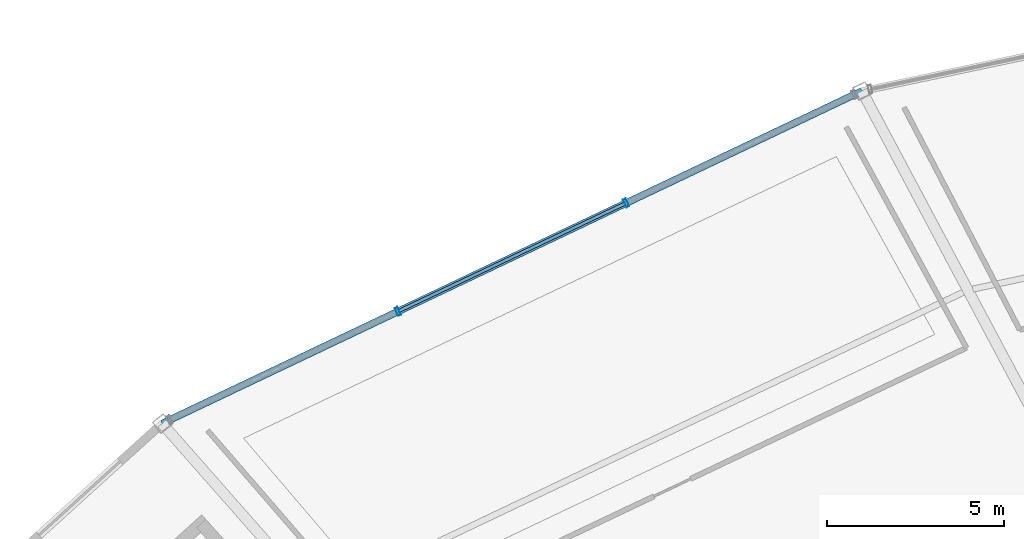
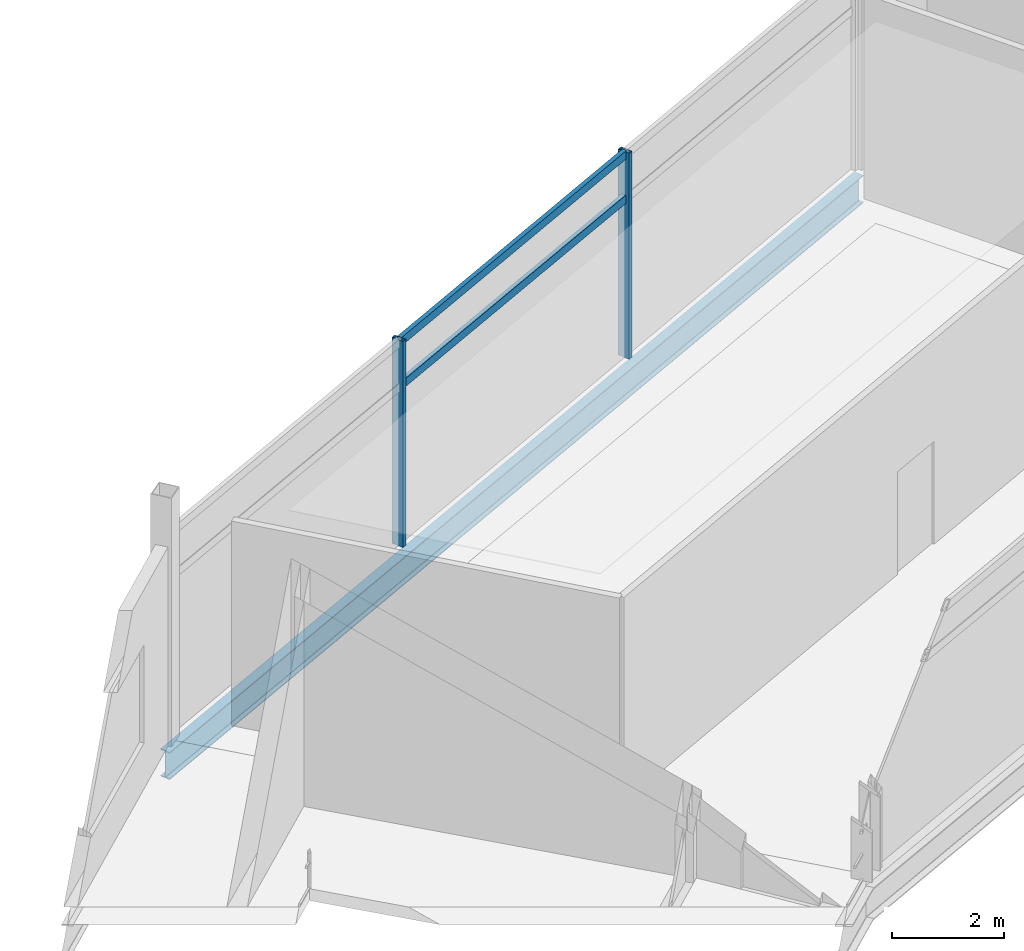
# One storey, part 54 of 86: 4 members, 1 beam, 1 element without a shape of its own.
"""IFC4 building model written with IfcOpenShell, lengths in metres."""

from ifc_helpers import new_model, si_unit, direction, frame, origin, origin_2d, place, context, subcontext, project, spatial, hollow_rectangle, i_section, extrude, material, layer, layer_set, material_profile, profile_set, type_object, element, aggregate, save


model = new_model("IFC4")

# Units and contexts
model_context = context("Model", 3, precision=1e-05, world=origin(), true_north=direction((0.0, 1.0)))
body_context = subcontext(model_context, "Body", "Model", "MODEL_VIEW")
ifc_project = project(units=[si_unit("LENGTHUNIT", "METRE"), si_unit("AREAUNIT", "SQUARE_METRE"), si_unit("VOLUMEUNIT", "CUBIC_METRE"), si_unit("PLANEANGLEUNIT", "RADIAN"), si_unit("MASSUNIT", "GRAM", prefix="KILO")], contexts=[model_context])

# Site, building, storey
site_placement = place(None, origin())
site = spatial("IfcSite", under=ifc_project, at=site_placement, CompositionType="ELEMENT")
building_placement = place(site_placement, origin())
building = spatial("IfcBuilding", under=site, at=building_placement, Name="Kazemori Nagisa Stadium", CompositionType="ELEMENT")
storey_placement = place(building_placement, frame((0.0, 0.0, 31.280029296875)))
storey = spatial("IfcBuildingStorey", under=building, at=storey_placement, Name="L06", CompositionType="ELEMENT", Elevation=31.280029296875)

# Beam
ifc_material_1 = material(Name="Steel SN490B", Category="steel")
ifc_material_profile_1 = material_profile(ifc_material_1, i_section(OverallWidth=0.199951171875, OverallDepth=0.60009765625, WebThickness=0.010986328125, FlangeThickness=0.01708984375, FilletRadius=0.012939453125, at=origin_2d()), Name="H-600x200x11x17")
ifc_profile_set_1 = profile_set([ifc_material_profile_1], Name="Steel SN490B")
beam_type = type_object("IfcBeamType", Name="Beam_BS-H600", PredefinedType="SPANDREL", material=ifc_profile_set_1)
beam_placement = place(storey_placement, frame((80.1953125, 182.46435546875, -0.56005859375), z_axis=(-0.903215644095, -0.429187022475, 0.0), x_axis=(0.429187022475, -0.903215644095, 0.0)))
element("IfcBeam", 1, at=beam_placement, inside=storey, type_object=beam_type, Name="Ring girder BS-H600 L06 R3-10", PredefinedType="SPANDREL", context=body_context, shape_type="SweptSolid", body=[
    extrude(i_section(OverallWidth=0.199951171875, OverallDepth=0.60009765625, WebThickness=0.010986328125, FlangeThickness=0.01708984375, FilletRadius=0.012939453125, at=origin_2d()), origin(), (0.0, 0.0, 1.0), 21.9140625),
])

# Curtain wall, members
ifc_material_2 = material(Name="Anodised aluminium 6063-T5", Category="aluminium")
ifc_layer = layer(ifc_material_2, 0.239990234375, Name="Anodised aluminium 6063-T5", Category="aluminium")
ifc_layer_set = layer_set([ifc_layer], Name="Anodised aluminium 6063-T5")
curtain_wall_type = type_object("IfcCurtainWallType", Name="CW_L06R3_108", PredefinedType="USERDEFINED", material=ifc_layer_set)
curtain_wall_placement = place(storey_placement, origin())
curtain_wall = element("IfcCurtainWall", 2, at=curtain_wall_placement, inside=storey, type_object=curtain_wall_type, Name="Unitised curtain wall CW-L06R3-108 L06", ObjectType="UNITISED CURTAIN WALL", PredefinedType="USERDEFINED")
ifc_material_3 = material(Name="Aluminium 6063-T5 anodised", Category="aluminium")
ifc_material_profile_2 = material_profile(ifc_material_3, hollow_rectangle(XDim=0.090087890625, YDim=0.239990234375, WallThickness=0.0048828125, at=origin_2d()), Name="ALU-MULL-90x240x5")
ifc_profile_set_2 = profile_set([ifc_material_profile_2], Name="Aluminium 6063-T5 anodised")
member_type_1 = type_object("IfcMemberType", Name="Mullion_M03", PredefinedType="MULLION", material=ifc_profile_set_2)
member_1_placement = place(storey_placement, frame((73.52685546875, 179.295654296875, 0.0), z_axis=(0.0, 0.0, 1.0), x_axis=(-0.903215892654, -0.429186499388, 0.0)))
member_1 = element("IfcMember", 3, at=member_1_placement, type_object=member_type_1, Name="Curtain wall mullion CW-L06R3-108-M2", PredefinedType="MULLION", context=body_context, shape_type="SweptSolid", body=[
    extrude(hollow_rectangle(XDim=0.090087890625, YDim=0.239990234375, WallThickness=0.0048828125, at=origin_2d()), origin(), (0.0, 0.0, 1.0), 4.510009765625),
])
member_2_placement = place(storey_placement, frame((67.070556640625, 176.227783203125, 0.0), z_axis=(0.0, 0.0, 1.0), x_axis=(-0.903215892654, -0.429186499388, 0.0)))
member_2 = element("IfcMember", 4, at=member_2_placement, type_object=member_type_1, Name="Curtain wall mullion CW-L06R3-108-M3", PredefinedType="MULLION", context=body_context, shape_type="SweptSolid", body=[
    extrude(hollow_rectangle(XDim=0.090087890625, YDim=0.239990234375, WallThickness=0.0048828125, at=origin_2d()), origin(), (0.0, 0.0, 1.0), 4.510009765625),
])
ifc_material_profile_3 = material_profile(ifc_material_3, hollow_rectangle(XDim=0.090087890625, YDim=0.179931640625, WallThickness=0.0048828125, at=origin_2d()), Name="ALU-TRAN-90x180x5")
ifc_profile_set_3 = profile_set([ifc_material_profile_3], Name="Aluminium 6063-T5 anodised")
member_type_2 = type_object("IfcMemberType", Name="Transom_T03", PredefinedType="USERDEFINED", material=ifc_profile_set_3)
member_3_placement = place(storey_placement, frame((73.5087890625, 179.286865234375, 3.47265625), z_axis=(-0.903225250156, -0.429166806126, 0.0), x_axis=(0.429166806126, -0.903225250156, 0.0)))
member_3 = element("IfcMember", 5, at=member_3_placement, type_object=member_type_2, Name="Curtain wall transom CW-L06R3-108-T2-mid", ObjectType="TRANSOM", PredefinedType="USERDEFINED", context=body_context, shape_type="SweptSolid", body=[
    extrude(hollow_rectangle(XDim=0.090087890625, YDim=0.179931640625, WallThickness=0.0048828125, at=origin_2d()), origin(), (0.0, 0.0, 1.0), 7.108154296875),
])
member_4_placement = place(storey_placement, frame((73.5087890625, 179.286865234375, 4.43994140625), z_axis=(-0.903225250156, -0.429166806126, 0.0), x_axis=(0.429166806126, -0.903225250156, 0.0)))
member_4 = element("IfcMember", 6, at=member_4_placement, type_object=member_type_2, Name="Curtain wall transom CW-L06R3-108-T2-head", ObjectType="TRANSOM", PredefinedType="USERDEFINED", context=body_context, shape_type="SweptSolid", body=[
    extrude(hollow_rectangle(XDim=0.090087890625, YDim=0.179931640625, WallThickness=0.0048828125, at=origin_2d()), origin(), (0.0, 0.0, 1.0), 7.108154296875),
])
aggregate(curtain_wall, [member_1, member_2, member_3, member_4])

save(model, "model.ifc")
